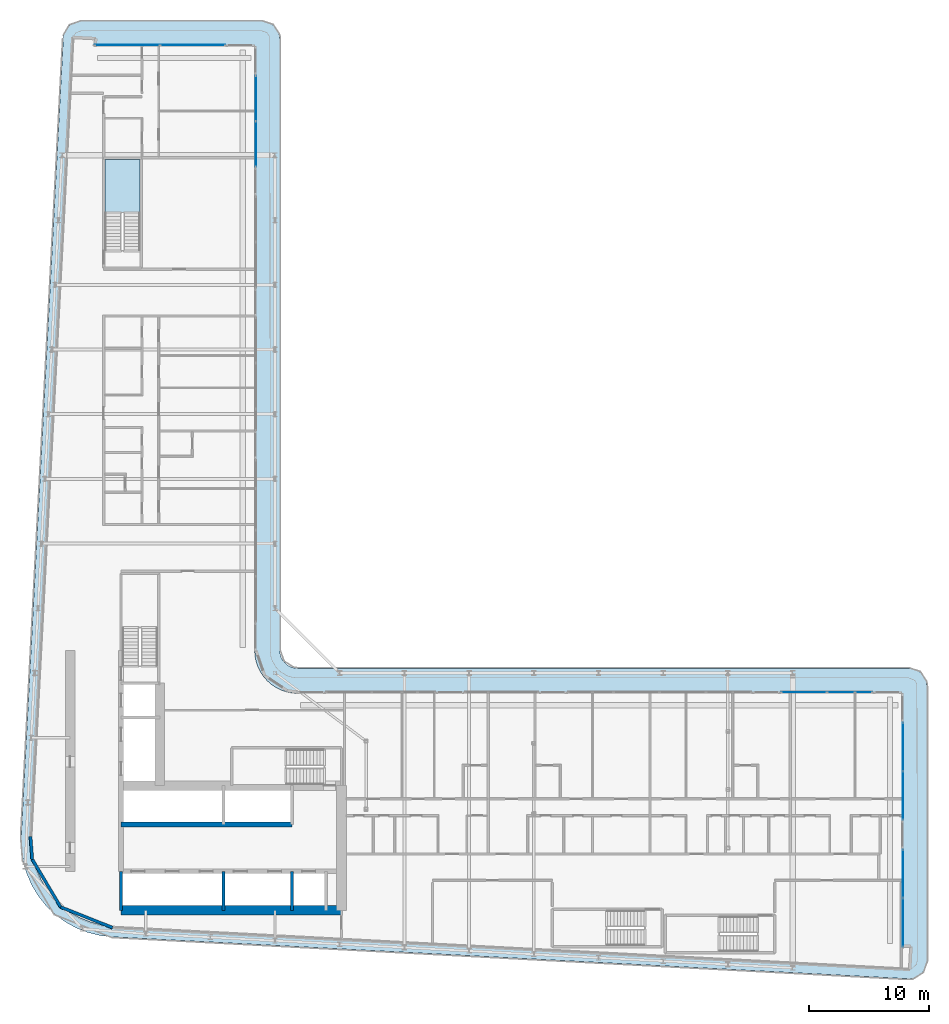
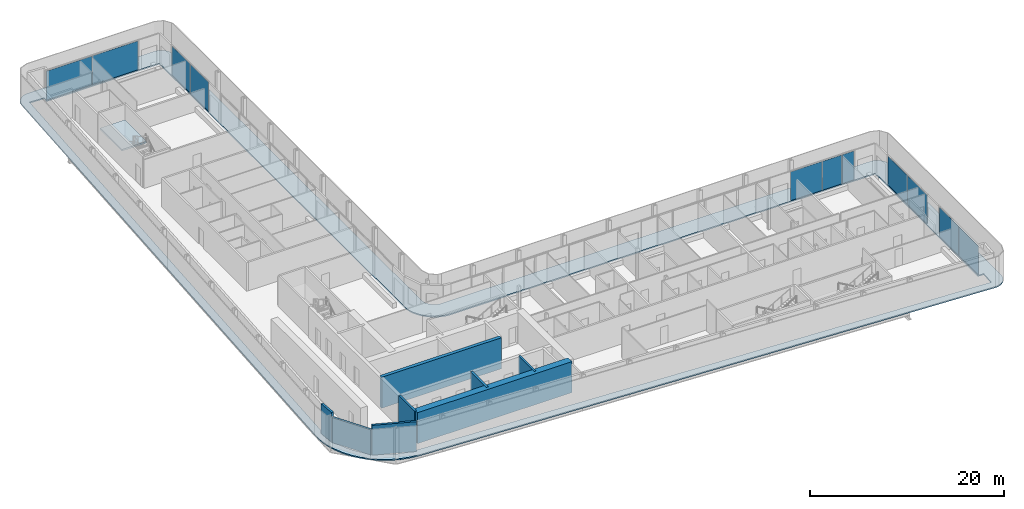
# One storey, part 13 of 28: 11 plates, 8 walls, 2 slabs, 6 elements without a shape of their own.
"""IFC4 building model written with IfcOpenShell, lengths in metres."""

from ifc_helpers import new_model, si_unit, direction, frame, frame_2d, origin, origin_2d, place, context, subcontext, project, spatial, polyline, rectangle, outline, extrude, material, layer, layer_set, type_object, element, aggregate, save


model = new_model("IFC4")

# Units and contexts
model_context = context("Model", 3, precision=1e-05, world=origin(), true_north=direction((0.0, 1.0)))
body_context = subcontext(model_context, "Body", "Model", "MODEL_VIEW")
ifc_project = project(units=[si_unit("LENGTHUNIT", "METRE"), si_unit("AREAUNIT", "SQUARE_METRE"), si_unit("VOLUMEUNIT", "CUBIC_METRE"), si_unit("PLANEANGLEUNIT", "RADIAN"), si_unit("MASSUNIT", "GRAM", prefix="KILO")], contexts=[model_context])

# Site, building, storey
site_placement = place(None, origin())
site = spatial("IfcSite", under=ifc_project, at=site_placement, CompositionType="ELEMENT")
building_placement = place(site_placement, origin())
building = spatial("IfcBuilding", under=site, at=building_placement, Name="Kheshtan School and Residences Tower", CompositionType="ELEMENT")
storey_placement = place(building_placement, frame((0.0, 0.0, 187.699951171875)))
storey = spatial("IfcBuildingStorey", under=building, at=storey_placement, Name="L44", CompositionType="ELEMENT", Elevation=187.699951171875)

# Curtain wall, plates
ifc_material_1 = material(Name="Clear low-e glass in thermally broken aluminium frame", Category="aluminium")
ifc_layer_1 = layer(ifc_material_1, 0.199951171875)
ifc_layer_set_1 = layer_set([ifc_layer_1], Name="Curtain wall CW-L")
curtain_wall_type = type_object("IfcCurtainWallType", Name="Curtain wall CW-L", PredefinedType="NOTDEFINED", material=ifc_layer_set_1)
curtain_wall_1_placement = place(storey_placement, origin())
curtain_wall_1 = element("IfcCurtainWall", 1, at=curtain_wall_1_placement, inside=storey, type_object=curtain_wall_type, Name="Curtain wall CWL7", PredefinedType="NOTDEFINED")
ifc_layer_2 = layer(ifc_material_1, 0.031982421875)
ifc_layer_set_2 = layer_set([ifc_layer_2], Name="CW-L glass panel")
plate_type = type_object("IfcPlateType", Name="CW-L glass panel", PredefinedType="CURTAIN_PANEL", material=ifc_layer_set_2)
plate_1_placement = place(storey_placement, frame((35.259033203125, 98.0, 0.0), z_axis=(0.0, 0.0, 1.0), x_axis=(1.0, 0.0, 0.0)))
plate_1 = element("IfcPlate", 2, at=plate_1_placement, type_object=plate_type, Name="CWL7 panel 1.1", PredefinedType="CURTAIN_PANEL", context=body_context, shape_type="SweptSolid", body=[
    extrude(rectangle(XDim=5.4140625, YDim=0.031982421875, at=origin_2d()), origin(), (0.0, 0.0, 1.0), 3.6298828125),
])
plate_2_placement = place(storey_placement, frame((40.73291015625, 98.0, 0.0), z_axis=(0.0, 0.0, 1.0), x_axis=(1.0, 0.0, 0.0)))
plate_2 = element("IfcPlate", 3, at=plate_2_placement, type_object=plate_type, Name="CWL7 panel 2.1", PredefinedType="CURTAIN_PANEL", context=body_context, shape_type="SweptSolid", body=[
    extrude(rectangle(XDim=5.4140625, YDim=0.031982421875, at=origin_2d()), origin(), (0.0, 0.0, 1.0), 3.6298828125),
])
aggregate(curtain_wall_1, [plate_1, plate_2])

curtain_wall_2_placement = place(storey_placement, origin())
curtain_wall_2 = element("IfcCurtainWall", 4, at=curtain_wall_2_placement, inside=storey, type_object=curtain_wall_type, Name="Curtain wall CWL8", PredefinedType="NOTDEFINED")
plate_3_placement = place(storey_placement, frame((46.0, 93.5615234375, 0.0), z_axis=(0.0, 0.0, 1.0), x_axis=(0.0, -1.0, 0.0)))
plate_3 = element("IfcPlate", 5, at=plate_3_placement, type_object=plate_type, Name="CWL8 panel 1.1", PredefinedType="CURTAIN_PANEL", context=body_context, shape_type="SweptSolid", body=[
    extrude(rectangle(XDim=3.757080078125, YDim=0.031982421875, at=origin_2d()), origin(), (0.0, 0.0, 1.0), 3.6298828125),
])
plate_4_placement = place(storey_placement, frame((46.0, 89.744384765625, 0.0), z_axis=(0.0, 0.0, 1.0), x_axis=(0.0, -1.0, 0.0)))
plate_4 = element("IfcPlate", 6, at=plate_4_placement, type_object=plate_type, Name="CWL8 panel 2.1", PredefinedType="CURTAIN_PANEL", context=body_context, shape_type="SweptSolid", body=[
    extrude(rectangle(XDim=3.757080078125, YDim=0.031982421875, at=origin_2d()), origin(), (0.0, 0.0, 1.0), 3.6298828125),
])
aggregate(curtain_wall_2, [plate_3, plate_4])

curtain_wall_3_placement = place(storey_placement, origin())
curtain_wall_3 = element("IfcCurtainWall", 7, at=curtain_wall_3_placement, inside=storey, type_object=curtain_wall_type, Name="Curtain wall CWL12k", PredefinedType="NOTDEFINED")
plate_5_placement = place(storey_placement, frame((91.744384765625, 44.0, 0.0), z_axis=(0.0, 0.0, 1.0), x_axis=(1.0, 0.0, 0.0)))
plate_5 = element("IfcPlate", 8, at=plate_5_placement, type_object=plate_type, Name="CWL12k panel 1.1", PredefinedType="CURTAIN_PANEL", context=body_context, shape_type="SweptSolid", body=[
    extrude(rectangle(XDim=3.757080078125, YDim=0.031982421875, at=origin_2d()), origin(), (0.0, 0.0, 1.0), 3.6298828125),
])
plate_6_placement = place(storey_placement, frame((94.826416015625, 44.0, 0.0), z_axis=(0.0, 0.0, 1.0), x_axis=(1.0, 0.0, 0.0)))
plate_6 = element("IfcPlate", 9, at=plate_6_placement, type_object=plate_type, Name="CWL12k panel 2.1", PredefinedType="CURTAIN_PANEL", context=body_context, shape_type="SweptSolid", body=[
    extrude(rectangle(XDim=2.287109375, YDim=0.031982421875, at=origin_2d()), origin(), (0.0, 0.0, 1.0), 3.6298828125),
])
plate_7_placement = place(storey_placement, frame((96.735107421875, 44.0, 0.0), z_axis=(0.0, 0.0, 1.0), x_axis=(1.0, 0.0, 0.0)))
plate_7 = element("IfcPlate", 10, at=plate_7_placement, type_object=plate_type, Name="CWL12k panel 3.1", PredefinedType="CURTAIN_PANEL", context=body_context, shape_type="SweptSolid", body=[
    extrude(rectangle(XDim=1.409912109375, YDim=0.031982421875, at=origin_2d()), origin(), (0.0, 0.0, 1.0), 3.6298828125),
])
aggregate(curtain_wall_3, [plate_5, plate_6, plate_7])

curtain_wall_4_placement = place(storey_placement, origin())
curtain_wall_4 = element("IfcCurtainWall", 11, at=curtain_wall_4_placement, inside=storey, type_object=curtain_wall_type, Name="Curtain wall CWL13b", PredefinedType="NOTDEFINED")
plate_8_placement = place(storey_placement, frame((100.0, 39.436767578125, 0.0), z_axis=(0.0, 0.0, 1.0), x_axis=(0.0, -1.0, 0.0)))
plate_8 = element("IfcPlate", 12, at=plate_8_placement, type_object=plate_type, Name="CWL13b panel 1.1", PredefinedType="CURTAIN_PANEL", context=body_context, shape_type="SweptSolid", body=[
    extrude(rectangle(XDim=4.006591796875, YDim=0.031982421875, at=origin_2d()), origin(), (0.0, 0.0, 1.0), 3.6298828125),
])
plate_9_placement = place(storey_placement, frame((100.0, 35.370361328125, 0.0), z_axis=(0.0, 0.0, 1.0), x_axis=(0.0, -1.0, 0.0)))
plate_9 = element("IfcPlate", 13, at=plate_9_placement, type_object=plate_type, Name="CWL13b panel 2.1", PredefinedType="CURTAIN_PANEL", context=body_context, shape_type="SweptSolid", body=[
    extrude(rectangle(XDim=4.006591796875, YDim=0.031982421875, at=origin_2d()), origin(), (0.0, 0.0, 1.0), 3.6298828125),
])
aggregate(curtain_wall_4, [plate_8, plate_9])

curtain_wall_5_placement = place(storey_placement, origin())
curtain_wall_5 = element("IfcCurtainWall", 14, at=curtain_wall_5_placement, inside=storey, type_object=curtain_wall_type, Name="Curtain wall CWL13b", PredefinedType="NOTDEFINED")
plate_10_placement = place(storey_placement, frame((100.0, 28.84375, 0.0), z_axis=(0.0, 0.0, 1.0), x_axis=(0.0, -1.0, 0.0)))
plate_10 = element("IfcPlate", 15, at=plate_10_placement, type_object=plate_type, Name="CWL13b panel 1.1", PredefinedType="CURTAIN_PANEL", context=body_context, shape_type="SweptSolid", body=[
    extrude(rectangle(XDim=4.006591796875, YDim=0.031982421875, at=origin_2d()), origin(), (0.0, 0.0, 1.0), 3.6298828125),
])
plate_11_placement = place(storey_placement, frame((100.0, 24.77734375, 0.0), z_axis=(0.0, 0.0, 1.0), x_axis=(0.0, -1.0, 0.0)))
plate_11 = element("IfcPlate", 16, at=plate_11_placement, type_object=plate_type, Name="CWL13b panel 2.1", PredefinedType="CURTAIN_PANEL", context=body_context, shape_type="SweptSolid", body=[
    extrude(rectangle(XDim=4.006591796875, YDim=0.031982421875, at=origin_2d()), origin(), (0.0, 0.0, 1.0), 3.6298828125),
])
aggregate(curtain_wall_5, [plate_10, plate_11])

# Slab
ifc_material_2 = material(Name="Concrete C40/50", Category="concrete")
ifc_layer_3 = layer(ifc_material_2, 0.14990234375)
ifc_layer_set_3 = layer_set([ifc_layer_3], Name="Loggia balcony slab 150 Concrete C40/50")
slab_type_1 = type_object("IfcSlabType", Name="Loggia balcony slab 150 Concrete C40/50", PredefinedType="FLOOR", material=ifc_layer_set_3)
slab_1_placement = place(storey_placement, frame((0.0, 0.0, -0.14990234375)))
element("IfcSlab", 17, at=slab_1_placement, inside=storey, type_object=slab_type_1, Name="Loggia balcony slab L44", PredefinedType="FLOOR", context=body_context, shape_type="SweptSolid", body=[
    extrude(outline(polyline([(28.4580078125, 26.222900390625), (28.45703125, 26.222900390625), (28.45703125, 26.22412109375), (28.4560546875, 26.22412109375), (27.81494140625, 27.0390625), (27.281005859375, 27.93798828125), (26.867919921875, 28.89990234375), (26.583984375, 29.89990234375), (26.583984375, 29.906982421875), (26.43408203125, 30.943115234375), (26.419921875, 31.989013671875), (29.925048828125, 98.5791015625), (29.930908203125, 98.626953125), (29.930908203125, 98.6279296875), (29.929931640625, 98.6279296875), (29.929931640625, 98.62890625), (29.928955078125, 98.62890625), (29.928955078125, 98.6298828125), (29.927978515625, 98.6298828125), (29.927978515625, 98.631103515625), (29.927001953125, 98.631103515625), (29.927001953125, 98.632080078125), (29.927001953125, 98.633056640625), (29.945068359375, 98.781005859375), (29.945068359375, 98.783935546875), (29.945068359375, 98.784912109375), (29.946044921875, 98.784912109375), (29.946044921875, 98.785888671875), (29.947021484375, 98.785888671875), (29.947021484375, 98.787109375), (29.947998046875, 98.787109375), (29.948974609375, 98.787109375), (29.948974609375, 98.7880859375), (29.949951171875, 98.7880859375), (29.949951171875, 98.7890625), (29.949951171875, 98.791015625), (30.0029296875, 98.98388671875), (30.083984375, 99.175048828125), (30.18896484375, 99.35302734375), (30.31103515625, 99.507080078125), (30.31201171875, 99.507080078125), (30.31201171875, 99.508056640625), (30.31298828125, 99.508056640625), (30.31298828125, 99.509033203125), (30.31396484375, 99.509033203125), (30.31396484375, 99.510009765625), (30.31494140625, 99.510009765625), (30.31494140625, 99.510986328125), (30.31591796875, 99.510986328125), (30.31591796875, 99.511962890625), (30.31689453125, 99.511962890625), (30.31689453125, 99.512939453125), (30.318115234375, 99.512939453125), (30.320068359375, 99.512939453125), (30.321044921875, 99.512939453125), (30.321044921875, 99.513916015625), (30.468017578125, 99.656982421875), (30.468994140625, 99.656982421875), (30.468994140625, 99.657958984375), (30.469970703125, 99.657958984375), (30.469970703125, 99.658935546875), (30.470947265625, 99.658935546875), (30.470947265625, 99.659912109375), (30.471923828125, 99.659912109375), (30.471923828125, 99.660888671875), (30.472900390625, 99.660888671875), (30.472900390625, 99.662109375), (30.47412109375, 99.662109375), (30.47412109375, 99.6630859375), (30.47509765625, 99.6630859375), (30.47509765625, 99.6640625), (30.635986328125, 99.777099609375), (30.820068359375, 99.873046875), (31.007080078125, 99.943115234375), (31.013916015625, 99.943115234375), (31.217041015625, 99.986083984375), (31.423095703125, 100.0), (46.5, 100.0), (46.696044921875, 99.987060546875), (46.887939453125, 99.948974609375), (46.89501953125, 99.948974609375), (47.073974609375, 99.885986328125), (47.243896484375, 99.801025390625), (47.2451171875, 99.801025390625), (47.2470703125, 99.801025390625), (47.248046875, 99.801025390625), (47.248046875, 99.802001953125), (47.2490234375, 99.802001953125), (47.2490234375, 99.802978515625), (47.25, 99.802978515625), (47.2529296875, 99.802978515625), (47.25390625, 99.802978515625), (47.25390625, 99.802001953125), (47.2548828125, 99.802001953125), (47.2548828125, 99.801025390625), (47.256103515625, 99.801025390625), (47.256103515625, 99.800048828125), (47.257080078125, 99.800048828125), (47.257080078125, 99.799072265625), (47.258056640625, 99.799072265625), (47.258056640625, 99.798095703125), (47.412109375, 99.696044921875), (47.4130859375, 99.696044921875), (47.4130859375, 99.695068359375), (47.4140625, 99.695068359375), (47.4140625, 99.694091796875), (47.4140625, 99.68994140625), (47.4140625, 99.68896484375), (47.4150390625, 99.68896484375), (47.4150390625, 99.68798828125), (47.416015625, 99.68798828125), (47.416015625, 99.68701171875), (47.4169921875, 99.68701171875), (47.4169921875, 99.68603515625), (47.554931640625, 99.568115234375), (47.554931640625, 99.56689453125), (47.555908203125, 99.56689453125), (47.555908203125, 99.56591796875), (47.556884765625, 99.56591796875), (47.556884765625, 99.56494140625), (47.55810546875, 99.56494140625), (47.55810546875, 99.56396484375), (47.55908203125, 99.56396484375), (47.55908203125, 99.56298828125), (47.56005859375, 99.56298828125), (47.56005859375, 99.56201171875), (47.56103515625, 99.56201171875), (47.56201171875, 99.56103515625), (47.56201171875, 99.56005859375), (47.56298828125, 99.56005859375), (47.56298828125, 99.55908203125), (47.56396484375, 99.55908203125), (47.56396484375, 99.55810546875), (47.56494140625, 99.55810546875), (47.56494140625, 99.556884765625), (47.56591796875, 99.556884765625), (47.56591796875, 99.555908203125), (47.56689453125, 99.555908203125), (47.56689453125, 99.554931640625), (47.568115234375, 99.554931640625), (47.68505859375, 99.41796875), (47.68603515625, 99.41796875), (47.68603515625, 99.4169921875), (47.68701171875, 99.4169921875), (47.68701171875, 99.416015625), (47.68798828125, 99.416015625), (47.68798828125, 99.4150390625), (47.68896484375, 99.4150390625), (47.68896484375, 99.4140625), (47.68994140625, 99.4140625), (47.694091796875, 99.4140625), (47.695068359375, 99.4140625), (47.695068359375, 99.4130859375), (47.696044921875, 99.4130859375), (47.696044921875, 99.412109375), (47.797119140625, 99.259033203125), (47.798095703125, 99.259033203125), (47.798095703125, 99.258056640625), (47.799072265625, 99.258056640625), (47.799072265625, 99.257080078125), (47.800048828125, 99.257080078125), (47.800048828125, 99.256103515625), (47.801025390625, 99.256103515625), (47.801025390625, 99.2548828125), (47.802001953125, 99.2548828125), (47.802001953125, 99.25390625), (47.802978515625, 99.25390625), (47.802978515625, 99.2529296875), (47.802978515625, 99.25), (47.802978515625, 99.2490234375), (47.802001953125, 99.2490234375), (47.802001953125, 99.248046875), (47.801025390625, 99.248046875), (47.801025390625, 99.2470703125), (47.801025390625, 99.243896484375), (47.801025390625, 99.242919921875), (47.885986328125, 99.073974609375), (47.948974609375, 98.89501953125), (47.948974609375, 98.887939453125), (47.987060546875, 98.696044921875), (48.0, 98.5), (48.0, 47.5), (48.012939453125, 47.303955078125), (48.051025390625, 47.113037109375), (48.051025390625, 47.10693359375), (48.051025390625, 47.10595703125), (48.114013671875, 46.926025390625), (48.200927734375, 46.75), (48.31005859375, 46.5869140625), (48.431884765625, 46.444091796875), (48.43310546875, 46.444091796875), (48.43310546875, 46.443115234375), (48.43408203125, 46.443115234375), (48.43408203125, 46.44189453125), (48.43505859375, 46.44189453125), (48.43505859375, 46.44091796875), (48.43603515625, 46.44091796875), (48.43603515625, 46.43994140625), (48.43701171875, 46.43994140625), (48.43701171875, 46.43896484375), (48.43798828125, 46.43896484375), (48.43896484375, 46.43798828125), (48.43896484375, 46.43701171875), (48.43994140625, 46.43701171875), (48.43994140625, 46.43603515625), (48.44091796875, 46.43603515625), (48.44091796875, 46.43505859375), (48.44189453125, 46.43505859375), (48.44189453125, 46.43408203125), (48.443115234375, 46.43408203125), (48.443115234375, 46.43310546875), (48.444091796875, 46.43310546875), (48.444091796875, 46.431884765625), (48.5869140625, 46.31005859375), (48.75, 46.200927734375), (48.926025390625, 46.114013671875), (49.10595703125, 46.051025390625), (49.10693359375, 46.051025390625), (49.113037109375, 46.051025390625), (49.303955078125, 46.012939453125), (49.5, 46.0), (100.5, 46.0), (100.696044921875, 45.987060546875), (100.887939453125, 45.948974609375), (100.89501953125, 45.948974609375), (101.073974609375, 45.885986328125), (101.241943359375, 45.801025390625), (101.242919921875, 45.801025390625), (101.2470703125, 45.801025390625), (101.248046875, 45.801025390625), (101.248046875, 45.802001953125), (101.2490234375, 45.802001953125), (101.2490234375, 45.802978515625), (101.25, 45.802978515625), (101.2529296875, 45.802978515625), (101.25390625, 45.802978515625), (101.25390625, 45.802001953125), (101.2548828125, 45.802001953125), (101.2548828125, 45.801025390625), (101.256103515625, 45.801025390625), (101.256103515625, 45.800048828125), (101.257080078125, 45.800048828125), (101.257080078125, 45.799072265625), (101.258056640625, 45.799072265625), (101.258056640625, 45.798095703125), (101.259033203125, 45.798095703125), (101.259033203125, 45.797119140625), (101.260009765625, 45.797119140625), (101.260009765625, 45.7958984375), (101.412109375, 45.696044921875), (101.4130859375, 45.696044921875), (101.4130859375, 45.695068359375), (101.4140625, 45.695068359375), (101.4140625, 45.694091796875), (101.4140625, 45.68994140625), (101.4140625, 45.68896484375), (101.4150390625, 45.68896484375), (101.4150390625, 45.68798828125), (101.416015625, 45.68798828125), (101.416015625, 45.68701171875), (101.4169921875, 45.68701171875), (101.4169921875, 45.68603515625), (101.41796875, 45.68603515625), (101.41796875, 45.68505859375), (101.4189453125, 45.68505859375), (101.4189453125, 45.68408203125), (101.554931640625, 45.568115234375), (101.554931640625, 45.56689453125), (101.555908203125, 45.56689453125), (101.555908203125, 45.56591796875), (101.556884765625, 45.56591796875), (101.556884765625, 45.56494140625), (101.55810546875, 45.56494140625), (101.55810546875, 45.56396484375), (101.55908203125, 45.56396484375), (101.55908203125, 45.56298828125), (101.56005859375, 45.56298828125), (101.56005859375, 45.56201171875), (101.56103515625, 45.56201171875), (101.56201171875, 45.56103515625), (101.56201171875, 45.56005859375), (101.56298828125, 45.56005859375), (101.56298828125, 45.55908203125), (101.56396484375, 45.55908203125), (101.56396484375, 45.55810546875), (101.56494140625, 45.55810546875), (101.56494140625, 45.556884765625), (101.56591796875, 45.556884765625), (101.56591796875, 45.555908203125), (101.56689453125, 45.555908203125), (101.56689453125, 45.554931640625), (101.568115234375, 45.554931640625), (101.681884765625, 45.4208984375), (101.68310546875, 45.4208984375), (101.68310546875, 45.419921875), (101.68408203125, 45.419921875), (101.68408203125, 45.4189453125), (101.68505859375, 45.4189453125), (101.68505859375, 45.41796875), (101.68603515625, 45.41796875), (101.68603515625, 45.4169921875), (101.68701171875, 45.4169921875), (101.68701171875, 45.416015625), (101.68798828125, 45.416015625), (101.68798828125, 45.4150390625), (101.68896484375, 45.4150390625), (101.68896484375, 45.4140625), (101.68994140625, 45.4140625), (101.694091796875, 45.4140625), (101.695068359375, 45.4140625), (101.695068359375, 45.4130859375), (101.696044921875, 45.4130859375), (101.696044921875, 45.412109375), (101.7939453125, 45.261962890625), (101.794921875, 45.261962890625), (101.794921875, 45.260986328125), (101.7958984375, 45.260986328125), (101.7958984375, 45.260009765625), (101.797119140625, 45.260009765625), (101.797119140625, 45.259033203125), (101.798095703125, 45.259033203125), (101.798095703125, 45.258056640625), (101.799072265625, 45.258056640625), (101.799072265625, 45.257080078125), (101.800048828125, 45.257080078125), (101.800048828125, 45.256103515625), (101.801025390625, 45.256103515625), (101.801025390625, 45.2548828125), (101.802001953125, 45.2548828125), (101.802001953125, 45.25390625), (101.802978515625, 45.25390625), (101.802978515625, 45.2529296875), (101.802978515625, 45.25), (101.802978515625, 45.2490234375), (101.802001953125, 45.2490234375), (101.802001953125, 45.248046875), (101.801025390625, 45.248046875), (101.801025390625, 45.2470703125), (101.801025390625, 45.240966796875), (101.801025390625, 45.239990234375), (101.885986328125, 45.073974609375), (101.948974609375, 44.89501953125), (101.948974609375, 44.887939453125), (101.987060546875, 44.696044921875), (102.0, 44.5), (102.0, 21.5810546875), (101.986083984375, 21.37890625), (101.945068359375, 21.179931640625), (101.945068359375, 21.173095703125), (101.8779296875, 20.989013671875), (101.785888671875, 20.80810546875), (101.6708984375, 20.64306640625), (101.6708984375, 20.64208984375), (101.6708984375, 20.64111328125), (101.6708984375, 20.639892578125), (101.672119140625, 20.639892578125), (101.672119140625, 20.638916015625), (101.672119140625, 20.636962890625), (101.672119140625, 20.635986328125), (101.6708984375, 20.635986328125), (101.6708984375, 20.635009765625), (101.5380859375, 20.491943359375), (101.534912109375, 20.489013671875), (101.533935546875, 20.489013671875), (101.533935546875, 20.488037109375), (101.532958984375, 20.488037109375), (101.531005859375, 20.488037109375), (101.530029296875, 20.488037109375), (101.530029296875, 20.489013671875), (101.529052734375, 20.489013671875), (101.528076171875, 20.489013671875), (101.527099609375, 20.489013671875), (101.3759765625, 20.364013671875), (101.2041015625, 20.256103515625), (101.01904296875, 20.174072265625), (100.8310546875, 20.116943359375), (100.823974609375, 20.116943359375), (100.6240234375, 20.0859375), (100.4208984375, 20.0830078125), (33.989013671875, 23.580078125), (33.94189453125, 23.5859375), (33.94091796875, 23.5859375), (33.93994140625, 23.5859375), (33.93994140625, 23.5849609375), (33.93896484375, 23.5849609375), (33.93896484375, 23.583984375), (33.93798828125, 23.583984375), (33.93798828125, 23.5830078125), (33.93701171875, 23.5830078125), (33.93701171875, 23.58203125), (33.93603515625, 23.58203125), (33.93505859375, 23.58203125), (32.952880859375, 23.697998046875), (32.949951171875, 23.697998046875), (32.948974609375, 23.697998046875), (32.948974609375, 23.698974609375), (32.947998046875, 23.698974609375), (32.947998046875, 23.699951171875), (32.947021484375, 23.699951171875), (32.947021484375, 23.700927734375), (32.947021484375, 23.702880859375), (32.947021484375, 23.7041015625), (32.946044921875, 23.7041015625), (32.946044921875, 23.705078125), (32.945068359375, 23.705078125), (32.944091796875, 23.705078125), (31.93603515625, 23.9609375), (31.928955078125, 23.9609375), (30.964111328125, 24.34912109375), (30.051025390625, 24.860107421875), (29.218994140625, 25.47900390625), (29.218994140625, 25.47998046875), (29.218017578125, 25.47998046875), (29.218017578125, 25.48095703125), (29.217041015625, 25.48095703125), (29.217041015625, 25.48193359375), (29.216064453125, 25.48193359375), (29.216064453125, 25.48291015625), (29.215087890625, 25.48291015625), (29.215087890625, 25.48388671875), (29.214111328125, 25.48388671875), (29.214111328125, 25.485107421875), (29.212890625, 25.485107421875), (29.212890625, 25.486083984375), (29.2119140625, 25.486083984375), (28.466064453125, 26.217041015625), (28.466064453125, 26.218017578125), (28.465087890625, 26.218017578125), (28.462890625, 26.218017578125), (28.4619140625, 26.218017578125), (28.4619140625, 26.218994140625), (28.4609375, 26.218994140625), (28.4609375, 26.219970703125), (28.4599609375, 26.219970703125), (28.4599609375, 26.220947265625), (28.458984375, 26.220947265625), (28.458984375, 26.221923828125), (28.4580078125, 26.221923828125), (28.4580078125, 26.222900390625)]), holes=[polyline([(29.12890625, 26.824951171875), (29.12890625, 26.823974609375), (29.1298828125, 26.823974609375), (29.1298828125, 26.822998046875), (29.131103515625, 26.822998046875), (29.131103515625, 26.822021484375), (29.132080078125, 26.822021484375), (29.132080078125, 26.821044921875), (29.133056640625, 26.821044921875), (29.133056640625, 26.820068359375), (29.134033203125, 26.820068359375), (29.7958984375, 26.173095703125), (29.7958984375, 26.172119140625), (29.797119140625, 26.172119140625), (29.798095703125, 26.172119140625), (29.799072265625, 26.172119140625), (29.799072265625, 26.1708984375), (29.800048828125, 26.1708984375), (29.800048828125, 26.169921875), (29.801025390625, 26.169921875), (29.801025390625, 26.1689453125), (29.802001953125, 26.1689453125), (29.802001953125, 26.16796875), (29.802978515625, 26.16796875), (29.802978515625, 26.1669921875), (29.803955078125, 26.1669921875), (29.803955078125, 26.166015625), (30.541015625, 25.616943359375), (31.35205078125, 25.1630859375), (32.208984375, 24.819091796875), (32.2099609375, 24.819091796875), (32.216064453125, 24.819091796875), (33.114990234375, 24.590087890625), (34.06591796875, 24.47705078125), (100.43798828125, 20.98291015625), (100.465087890625, 20.98388671875), (100.466064453125, 20.98388671875), (100.467041015625, 20.98388671875), (100.467041015625, 20.985107421875), (100.468017578125, 20.985107421875), (100.468017578125, 20.986083984375), (100.468017578125, 20.987060546875), (100.55810546875, 22.676025390625), (100.55810546875, 22.677001953125), (100.55810546875, 22.677978515625), (100.556884765625, 22.677978515625), (100.556884765625, 22.678955078125), (100.555908203125, 22.678955078125), (100.554931640625, 22.678955078125), (99.90087890625, 22.714111328125), (99.89990234375, 22.714111328125), (99.89990234375, 22.715087890625), (99.89990234375, 43.89794921875), (99.89990234375, 43.89892578125), (99.89892578125, 43.89892578125), (99.89892578125, 43.89990234375), (99.89794921875, 43.89990234375), (49.429931640625, 43.89990234375), (49.030029296875, 43.927001953125), (48.569091796875, 44.01806640625), (48.56201171875, 44.01806640625), (48.1201171875, 44.169921875), (47.697021484375, 44.37890625), (47.30810546875, 44.638916015625), (46.95703125, 44.944091796875), (46.95703125, 44.945068359375), (46.9560546875, 44.945068359375), (46.9560546875, 44.946044921875), (46.955078125, 44.946044921875), (46.955078125, 44.947021484375), (46.9541015625, 44.947021484375), (46.9541015625, 44.947998046875), (46.952880859375, 44.947998046875), (46.952880859375, 44.948974609375), (46.951904296875, 44.948974609375), (46.951904296875, 44.949951171875), (46.951904296875, 44.950927734375), (46.950927734375, 44.950927734375), (46.950927734375, 44.951904296875), (46.949951171875, 44.951904296875), (46.948974609375, 44.951904296875), (46.948974609375, 44.952880859375), (46.947998046875, 44.952880859375), (46.947998046875, 44.9541015625), (46.947021484375, 44.9541015625), (46.947021484375, 44.955078125), (46.946044921875, 44.955078125), (46.946044921875, 44.9560546875), (46.945068359375, 44.9560546875), (46.945068359375, 44.95703125), (46.944091796875, 44.95703125), (46.638916015625, 45.30810546875), (46.37890625, 45.697021484375), (46.169921875, 46.1201171875), (46.01806640625, 46.56201171875), (46.01806640625, 46.569091796875), (45.927001953125, 47.030029296875), (45.89990234375, 47.429931640625), (45.89990234375, 97.89794921875), (45.89990234375, 97.89892578125), (45.89892578125, 97.89892578125), (45.89892578125, 97.89990234375), (45.89794921875, 97.89990234375), (32.492919921875, 97.89990234375), (32.491943359375, 97.89990234375), (32.52099609375, 98.43896484375), (32.52099609375, 98.43994140625), (32.52099609375, 98.44091796875), (32.52001953125, 98.44091796875), (32.52001953125, 98.44189453125), (32.51904296875, 98.44189453125), (32.51806640625, 98.44189453125), (30.8291015625, 98.531982421875), (30.827880859375, 98.531982421875), (30.826904296875, 98.531982421875), (30.826904296875, 98.531005859375), (30.825927734375, 98.531005859375), (30.825927734375, 98.530029296875), (30.825927734375, 98.529052734375), (30.822021484375, 98.5009765625), (27.320068359375, 31.970947265625), (27.3330078125, 31.013916015625), (27.466064453125, 30.093994140625), (27.466064453125, 30.087890625), (27.466064453125, 30.0869140625), (27.718017578125, 29.200927734375), (28.0849609375, 28.345947265625), (28.55908203125, 27.550048828125), (29.126953125, 26.825927734375), (29.1279296875, 26.825927734375), (29.1279296875, 26.824951171875), (29.12890625, 26.824951171875)])]), origin(), (0.0, 0.0, 1.0), 0.14990234375),
])

# Stair, slab
stair_type = type_object("IfcStairType", Name="Exit stair, half-turn", PredefinedType="HALF_TURN_STAIR", material=ifc_material_2)
stair_placement = place(storey_placement, origin())
stair = element("IfcStair", 18, at=stair_placement, inside=storey, type_object=stair_type, Name="L44 Protected Exit Stair ST3", PredefinedType="HALF_TURN_STAIR")
ifc_layer_4 = layer(ifc_material_2, 0.199951171875)
ifc_layer_set_4 = layer_set([ifc_layer_4], Name="Stair landing 200 Concrete C40/50")
slab_type_2 = type_object("IfcSlabType", Name="Stair landing 200 Concrete C40/50", PredefinedType="LANDING", material=ifc_layer_set_4)
slab_2_placement = place(storey_placement, frame((0.0, 0.0, 1.75)))
slab_2 = element("IfcSlab", 19, at=slab_2_placement, type_object=slab_type_2, Name="ST3 landing 1", PredefinedType="LANDING", context=body_context, shape_type="SweptSolid", body=[
    extrude(outline(polyline([(36.35009765625, 83.97998046875), (36.35009765625, 88.4599609375), (33.39990234375, 88.4599609375), (33.39990234375, 83.97998046875), (36.35009765625, 83.97998046875)])), origin(), (0.0, 0.0, 1.0), 0.199951171875),
])
aggregate(stair, [slab_2])

# Walls
ifc_material_3 = material(Name="Concrete C50/60", Category="concrete")
ifc_layer_5 = layer(ifc_material_3, 0.39990234375)
ifc_layer_set_5 = layer_set([ifc_layer_5], Name="Core wall 400 Concrete C50/60")
wall_type_1 = type_object("IfcWallType", Name="Core wall 400 Concrete C50/60", PredefinedType="SHEAR", material=ifc_layer_set_5)
wall_1_placement = place(storey_placement, frame((34.75, 32.949951171875, 0.0), z_axis=(0.0, 0.0, 1.0), x_axis=(1.0, 0.0, 0.0)))
element("IfcWall", 20, at=wall_1_placement, inside=storey, type_object=wall_type_1, Name="Core wall CW-HALL-S2", PredefinedType="SHEAR", context=body_context, shape_type="SweptSolid", body=[
    extrude(rectangle(XDim=14.25, YDim=0.39990234375, at=frame_2d((7.125, 0.0))), origin(), (0.0, 0.0, 1.0), 3.900146484375),
])
ifc_material_4 = material(Name="Concrete C70/85", Category="concrete")
ifc_layer_6 = layer(ifc_material_4, 0.800048828125)
ifc_layer_set_6 = layer_set([ifc_layer_6], Name="Core wall 800 Concrete C70/85")
wall_type_2 = type_object("IfcWallType", Name="Core wall 800 Concrete C70/85", PredefinedType="SHEAR", material=ifc_layer_set_6)
wall_2_placement = place(storey_placement, frame((34.75, 25.800048828125, 0.0), z_axis=(0.0, 0.0, 1.0), x_axis=(1.0, 0.0, 0.0)))
element("IfcWall", 21, at=wall_2_placement, inside=storey, type_object=wall_type_2, Name="Core wall CW-REAR-S", PredefinedType="SHEAR", context=body_context, shape_type="SweptSolid", body=[
    extrude(rectangle(XDim=18.39990234375, YDim=0.800048828125, at=frame_2d((9.199951171875, 0.0))), origin(), (0.0, 0.0, 1.0), 3.900146484375),
])
ifc_material_5 = material(Name="Concrete C40/50 with ceramic cladding and mineral wool insulation", Category="concrete")
ifc_layer_7 = layer(ifc_material_5, 0.25)
ifc_layer_set_7 = layer_set([ifc_layer_7], Name="External wall 250 ceramic clad")
wall_type_3 = type_object("IfcWallType", Name="External wall 250 ceramic clad", PredefinedType="SOLIDWALL", material=ifc_layer_set_7)
wall_3_placement = place(storey_placement, frame((34.0390625, 24.35302734375, 0.0), z_axis=(0.0, 0.0, 1.0), x_axis=(-0.929352825399, 0.369192803184, 0.0)))
element("IfcWall", 22, at=wall_3_placement, inside=storey, type_object=wall_type_3, Name="External wall L44 1", PredefinedType="SOLIDWALL", context=body_context, shape_type="SweptSolid", body=[
    extrude(rectangle(XDim=4.656005859375, YDim=0.25, at=frame_2d((2.328125, 0.0))), origin(), (0.0, 0.0, 1.0), 3.75),
])
wall_4_placement = place(storey_placement, frame((29.7119140625, 26.072021484375, 0.0), z_axis=(0.0, 0.0, 1.0), x_axis=(-0.511028049012, 0.859564036662, 0.0)))
element("IfcWall", 23, at=wall_4_placement, inside=storey, type_object=wall_type_3, Name="External wall L44 2", PredefinedType="SOLIDWALL", context=body_context, shape_type="SweptSolid", body=[
    extrude(rectangle(XDim=4.633544921875, YDim=0.25, at=frame_2d((2.31689453125, 0.0))), origin(), (0.0, 0.0, 1.0), 3.14697265625),
])
wall_5_placement = place(storey_placement, frame((27.343994140625, 30.054931640625, 0.0), z_axis=(0.0, 0.0, 1.0), x_axis=(-0.077571675317, 0.99698677784, 0.0)))
element("IfcWall", 24, at=wall_5_placement, inside=storey, type_object=wall_type_3, Name="External wall L44 3", PredefinedType="SOLIDWALL", context=body_context, shape_type="SweptSolid", body=[
    extrude(rectangle(XDim=1.919921875, YDim=0.25, at=frame_2d((0.9599609375, 0.0))), origin(), (0.0, 0.0, 1.0), 3.75),
])
ifc_material_6 = material(Name="Fire-board shaft wall system")
ifc_layer_8 = layer(ifc_material_6, 0.25)
ifc_layer_set_8 = layer_set([ifc_layer_8], Name="Shaft lining wall 250")
wall_type_4 = type_object("IfcWallType", Name="Shaft lining wall 250", PredefinedType="PARTITIONING", material=ifc_layer_set_8)
for number, where, z_axis, x_axis, name in (
    (25, (34.75, 25.800048828125, 0.0), (0.0, 0.0, 1.0), (0.0, 1.0, 0.0), "Shaft lining wall"),
    (26, (43.300048828125, 25.800048828125, 0.0), (0.0, 0.0, 1.0), (0.0, 1.0, 0.0), "Shaft lining wall"),
    (27, (49.0, 25.800048828125, 0.0), (0.0, 0.0, 1.0), (0.0, 1.0, 0.0), "Shaft lining wall"),
):
    element("IfcWall", number, at=place(storey_placement, frame(where, z_axis=z_axis, x_axis=x_axis)), inside=storey, type_object=wall_type_4, Name=name, PredefinedType="PARTITIONING", context=body_context, shape_type="SweptSolid", body=[
        extrude(rectangle(XDim=3.25, YDim=0.25, at=frame_2d((1.625, 0.0))), origin(), (0.0, 0.0, 1.0), 3.900146484375),
    ])

save(model, "model.ifc")
